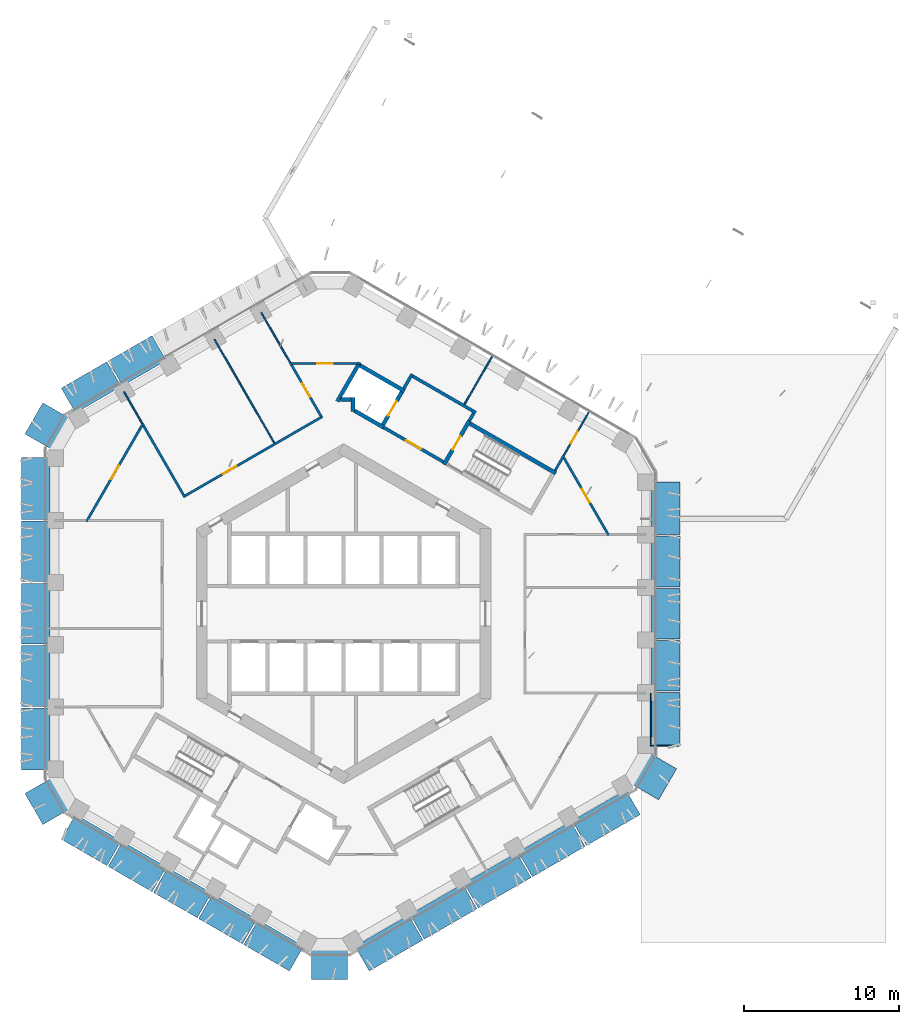
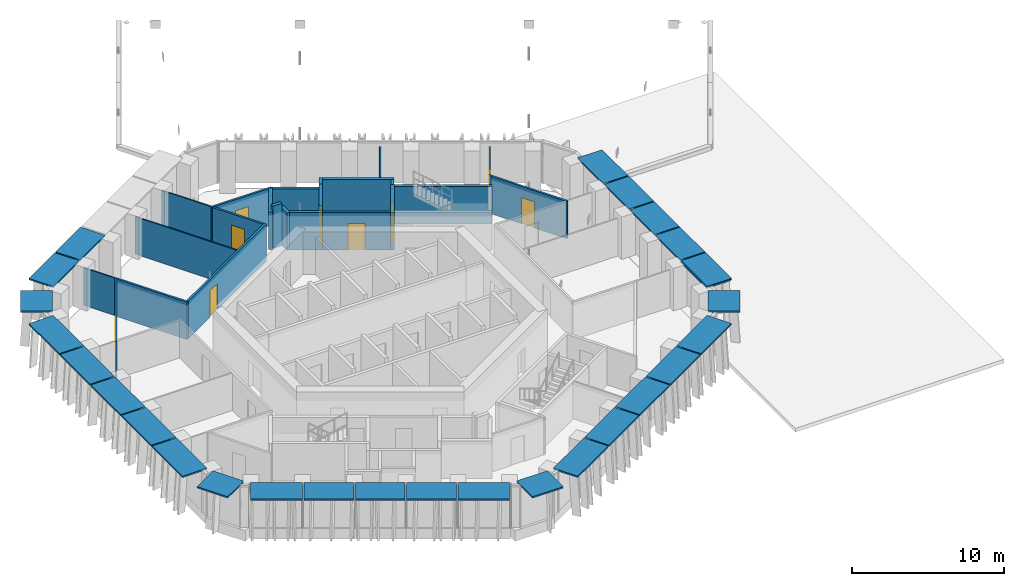
# One storey, part 16 of 25: 27 discrete accessories, 24 walls, 9 doors, 9 openings.
"""IFC4 building model written with IfcOpenShell, lengths in metres."""

from ifc_helpers import new_model, si_unit, direction, frame, frame_2d, origin, origin_2d, place, context, subcontext, project, spatial, polyline, rectangle, outline, extrude, material, layer, layer_set, type_object, element, fill, save


model = new_model("IFC4")

# Units and contexts
model_context = context("Model", 3, precision=1e-05, world=origin(), true_north=direction((0.0, 1.0)))
body_context = subcontext(model_context, "Body", "Model", "MODEL_VIEW")
ifc_project = project(units=[si_unit("LENGTHUNIT", "METRE"), si_unit("AREAUNIT", "SQUARE_METRE"), si_unit("VOLUMEUNIT", "CUBIC_METRE"), si_unit("PLANEANGLEUNIT", "RADIAN"), si_unit("MASSUNIT", "GRAM", prefix="KILO")], contexts=[model_context])

# Site, building, storey
site_placement = place(None, origin())
site = spatial("IfcSite", under=ifc_project, at=site_placement, CompositionType="ELEMENT")
building_placement = place(site_placement, origin())
building = spatial("IfcBuilding", under=site, at=building_placement, Name="Ayvan Gate Tower", CompositionType="ELEMENT")
storey_placement = place(building_placement, frame((0.0, 0.0, 132.5)))
storey = spatial("IfcBuildingStorey", under=building, at=storey_placement, Name="L35", CompositionType="ELEMENT", Elevation=132.5)

# Wall, opening, door
ifc_material_1 = material(Name="Plasterboard on steel stud", Category="steel")
ifc_layer_1 = layer(ifc_material_1, 0.14990234375)
ifc_layer_set_1 = layer_set([ifc_layer_1], Name="Plasterboard on steel stud")
wall_type_1 = type_object("IfcWallType", Name="WT-CORR-150", PredefinedType="PARTITIONING", material=ifc_layer_set_1)
wall_1_placement = place(storey_placement, frame((-16.588134765625, 5.944580078125, 0.0), z_axis=(0.0, 0.0, 1.0), x_axis=(0.500006094381, 0.866021885163, 0.0)))
wall_1 = element("IfcWall", 1, at=wall_1_placement, inside=storey, type_object=wall_type_1, Name="IW-L35-003", PredefinedType="PARTITIONING", context=body_context, shape_type="SweptSolid", body=[
    extrude(rectangle(XDim=7.32666015625, YDim=0.14990234375, at=frame_2d((3.663330078125, 0.0))), origin(), (0.0, 0.0, 1.0), 3.0),
])
opening_1_placement = place(wall_1_placement, frame((3.163330078125, 0.0, 0.0)))
opening_1 = element("IfcOpeningElement", 2, at=opening_1_placement, cuts=wall_1, Name="Opening L35-D22", PredefinedType="OPENING", context=body_context, shape_type="SweptSolid", body=[
    extrude(rectangle(XDim=1.0, YDim=2.10009765625, at=frame_2d((0.5, 1.050048828125))), frame((0.0, 0.0849609375, 0.0), z_axis=(0.0, -1.0, 0.0), x_axis=(1.0, 0.0, 0.0)), (0.0, 0.0, 1.0), 0.169921875),
])
ifc_material_2 = material(Name="Timber door leaf", Category="wood")
door_type_1 = type_object("IfcDoorType", Name="DT-1000", OperationType="NOTDEFINED", PredefinedType="DOOR", material=ifc_material_2)
door_1_placement = place(opening_1_placement, origin())
door_1 = element("IfcDoor", 3, at=door_1_placement, inside=storey, type_object=door_type_1, Name="ID-L35-022", OperationType="SINGLE_SWING_LEFT", OverallHeight=2.10009765625, OverallWidth=1.0, PredefinedType="DOOR", context=body_context, shape_type="SweptSolid", body=[
    extrude(rectangle(XDim=1.0, YDim=2.10009765625, at=frame_2d((0.5, 1.050048828125))), frame((0.0, 0.02490234375, 0.0), z_axis=(0.0, -1.0, 0.0), x_axis=(1.0, 0.0, 0.0)), (0.0, 0.0, 1.0), 0.050048828125),
])
fill(opening_1, door_1)

# Wall
wall_2_placement = place(storey_placement, frame((-12.9248046875, 12.15966796875, 0.0), z_axis=(0.0, 0.0, 1.0), x_axis=(0.500022974468, -0.866012139063, 0.0)))
element("IfcWall", 4, at=wall_2_placement, inside=storey, type_object=wall_type_1, Name="IW-L35-008", PredefinedType="PARTITIONING", context=body_context, shape_type="SweptSolid", body=[
    extrude(rectangle(XDim=5.367919921875, YDim=0.14990234375, at=frame_2d((2.68408203125, 0.0))), origin(), (0.0, 0.0, 1.0), 3.0),
])

# Wall, opening, door
wall_3_placement = place(storey_placement, frame((-10.21337890625, 7.61328125, 0.0), z_axis=(0.0, 0.0, 1.0), x_axis=(0.866020604402, 0.500008312683, 0.0)))
wall_3 = element("IfcWall", 5, at=wall_3_placement, inside=storey, type_object=wall_type_1, Name="IW-L35-014", PredefinedType="PARTITIONING", context=body_context, shape_type="SweptSolid", body=[
    extrude(rectangle(XDim=10.226806640625, YDim=0.14990234375, at=frame_2d((5.11328125, 0.0))), origin(), (0.0, 0.0, 1.0), 3.0),
])
opening_2_placement = place(wall_3_placement, frame((2.822265625, 0.0, 0.0)))
opening_2 = element("IfcOpeningElement", 6, at=opening_2_placement, cuts=wall_3, Name="Opening L35-D29", PredefinedType="OPENING", context=body_context, shape_type="SweptSolid", body=[
    extrude(rectangle(XDim=1.0, YDim=2.10009765625, at=frame_2d((0.5, 1.050048828125))), frame((0.0, 0.0849609375, 0.0), z_axis=(0.0, -1.0, 0.0), x_axis=(1.0, 0.0, 0.0)), (0.0, 0.0, 1.0), 0.169921875),
])
door_2_placement = place(opening_2_placement, origin())
door_2 = element("IfcDoor", 7, at=door_2_placement, inside=storey, type_object=door_type_1, Name="ID-L35-029", OperationType="SINGLE_SWING_RIGHT", OverallHeight=2.10009765625, OverallWidth=1.0, PredefinedType="DOOR", context=body_context, shape_type="SweptSolid", body=[
    extrude(rectangle(XDim=1.0, YDim=2.10009765625, at=frame_2d((0.5, 1.050048828125))), frame((0.0, 0.02490234375, 0.0), z_axis=(0.0, -1.0, 0.0), x_axis=(1.0, 0.0, 0.0)), (0.0, 0.0, 1.0), 0.050048828125),
])
fill(opening_2, door_2)

wall_4_placement = place(storey_placement, frame((-3.48779296875, 16.13818359375, 0.0), z_axis=(0.0, 0.0, 1.0), x_axis=(1.0, 0.0, 0.0)))
wall_4 = element("IfcWall", 8, at=wall_4_placement, inside=storey, type_object=wall_type_1, Name="IW-L35-040", PredefinedType="PARTITIONING", context=body_context, shape_type="SweptSolid", body=[
    extrude(rectangle(XDim=4.56640625, YDim=0.14990234375, at=frame_2d((2.283203125, 0.0))), origin(), (0.0, 0.0, 1.0), 3.0),
])
opening_3_placement = place(wall_4_placement, frame((1.800537109375, 0.0, 0.0)))
opening_3 = element("IfcOpeningElement", 9, at=opening_3_placement, cuts=wall_4, Name="Opening L35-D21", PredefinedType="OPENING", context=body_context, shape_type="SweptSolid", body=[
    extrude(rectangle(XDim=1.0, YDim=2.10009765625, at=frame_2d((0.5, 1.050048828125))), frame((0.0, 0.0849609375, 0.0), z_axis=(0.0, -1.0, 0.0), x_axis=(1.0, 0.0, 0.0)), (0.0, 0.0, 1.0), 0.169921875),
])
door_3_placement = place(opening_3_placement, origin())
door_3 = element("IfcDoor", 10, at=door_3_placement, inside=storey, type_object=door_type_1, Name="ID-L35-021", OperationType="SINGLE_SWING_RIGHT", OverallHeight=2.10009765625, OverallWidth=1.0, PredefinedType="DOOR", context=body_context, shape_type="SweptSolid", body=[
    extrude(rectangle(XDim=1.0, YDim=2.10009765625, at=frame_2d((0.5, 1.050048828125))), frame((0.0, 0.02490234375, 0.0), z_axis=(0.0, -1.0, 0.0), x_axis=(1.0, 0.0, 0.0)), (0.0, 0.0, 1.0), 0.050048828125),
])
fill(opening_3, door_3)

wall_5_placement = place(storey_placement, frame((-1.459228515625, 12.754150390625, 0.0), z_axis=(0.0, 0.0, 1.0), x_axis=(-0.500023910398, 0.866011598669, 0.0)))
wall_5 = element("IfcWall", 11, at=wall_5_placement, inside=storey, type_object=wall_type_1, Name="IW-L35-046", PredefinedType="PARTITIONING", context=body_context, shape_type="SweptSolid", body=[
    extrude(rectangle(XDim=3.832275390625, YDim=0.14990234375, at=frame_2d((1.916015625, 0.0))), origin(), (0.0, 0.0, 1.0), 3.0),
])
opening_4_placement = place(wall_5_placement, frame((1.416259765625, 0.0, 0.0)))
opening_4 = element("IfcOpeningElement", 12, at=opening_4_placement, cuts=wall_5, Name="Opening L35-D28", PredefinedType="OPENING", context=body_context, shape_type="SweptSolid", body=[
    extrude(rectangle(XDim=1.0, YDim=2.10009765625, at=frame_2d((0.5, 1.050048828125))), frame((0.0, 0.0849609375, 0.0), z_axis=(0.0, -1.0, 0.0), x_axis=(1.0, 0.0, 0.0)), (0.0, 0.0, 1.0), 0.169921875),
])
door_4_placement = place(opening_4_placement, origin())
door_4 = element("IfcDoor", 13, at=door_4_placement, inside=storey, type_object=door_type_1, Name="ID-L35-028", OperationType="SINGLE_SWING_LEFT", OverallHeight=2.10009765625, OverallWidth=1.0, PredefinedType="DOOR", context=body_context, shape_type="SweptSolid", body=[
    extrude(rectangle(XDim=1.0, YDim=2.10009765625, at=frame_2d((0.5, 1.050048828125))), frame((0.0, 0.02490234375, 0.0), z_axis=(0.0, -1.0, 0.0), x_axis=(1.0, 0.0, 0.0)), (0.0, 0.0, 1.0), 0.050048828125),
])
fill(opening_4, door_4)

# Wall
wall_6_placement = place(storey_placement, frame((13.647705078125, 9.23876953125, 0.0), z_axis=(0.0, 0.0, 1.0), x_axis=(0.500171649313, 0.865926279324, 0.0)))
element("IfcWall", 14, at=wall_6_placement, inside=storey, type_object=wall_type_1, Name="IW-L35-092", PredefinedType="PARTITIONING", context=body_context, shape_type="SweptSolid", body=[
    extrude(rectangle(XDim=1.11328125, YDim=0.14990234375, at=frame_2d((0.556640625, 0.0))), origin(), (0.0, 0.0, 1.0), 3.0),
])

# Wall, opening, door
wall_7_placement = place(storey_placement, frame((14.20458984375, 10.072998046875, 0.0), z_axis=(0.0, 0.0, 1.0), x_axis=(0.500017486934, -0.866015307463, 0.0)))
wall_7 = element("IfcWall", 15, at=wall_7_placement, inside=storey, type_object=wall_type_1, Name="IW-L35-095", PredefinedType="PARTITIONING", context=body_context, shape_type="SweptSolid", body=[
    extrude(rectangle(XDim=5.802001953125, YDim=0.14990234375, at=frame_2d((2.90087890625, 0.0))), origin(), (0.0, 0.0, 1.0), 3.0),
])
opening_5_placement = place(wall_7_placement, frame((2.34619140625, 0.0, 0.0)))
opening_5 = element("IfcOpeningElement", 16, at=opening_5_placement, cuts=wall_7, Name="Opening L35-D19", PredefinedType="OPENING", context=body_context, shape_type="SweptSolid", body=[
    extrude(rectangle(XDim=1.0, YDim=2.10009765625, at=frame_2d((0.5, 1.050048828125))), frame((0.0, 0.0849609375, 0.0), z_axis=(0.0, -1.0, 0.0), x_axis=(1.0, 0.0, 0.0)), (0.0, 0.0, 1.0), 0.169921875),
])
door_5_placement = place(opening_5_placement, origin())
door_5 = element("IfcDoor", 17, at=door_5_placement, inside=storey, type_object=door_type_1, Name="ID-L35-019", OperationType="SINGLE_SWING_RIGHT", OverallHeight=2.10009765625, OverallWidth=1.0, PredefinedType="DOOR", context=body_context, shape_type="SweptSolid", body=[
    extrude(rectangle(XDim=1.0, YDim=2.10009765625, at=frame_2d((0.5, 1.050048828125))), frame((0.0, 0.02490234375, 0.0), z_axis=(0.0, -1.0, 0.0), x_axis=(1.0, 0.0, 0.0)), (0.0, 0.0, 1.0), 0.050048828125),
])
fill(opening_5, door_5)

# Walls
ifc_layer_2 = layer(ifc_material_1, 0.10009765625)
ifc_layer_set_2 = layer_set([ifc_layer_2], Name="Plasterboard on steel stud")
wall_type_2 = type_object("IfcWallType", Name="WT-PART-100", PredefinedType="PARTITIONING", material=ifc_layer_set_2)
wall_8_placement = place(storey_placement, frame((-14.171142578125, 14.318359375, 0.0), z_axis=(0.0, 0.0, 1.0), x_axis=(0.500017137554, -0.866015509187, 0.0)))
element("IfcWall", 18, at=wall_8_placement, inside=storey, type_object=wall_type_2, Name="IW-L35-004", PredefinedType="PARTITIONING", context=body_context, shape_type="SweptSolid", body=[
    extrude(rectangle(XDim=2.3427734375, YDim=0.10009765625, at=frame_2d((1.17138671875, 0.0))), origin(), (0.0, 0.0, 1.0), 3.0),
])
wall_9_placement = place(storey_placement, frame((-4.470458984375, 11.015625, 0.0), z_axis=(0.0, 0.0, 1.0), x_axis=(-0.499997453958, 0.866026873738, 0.0)))
element("IfcWall", 19, at=wall_9_placement, inside=storey, type_object=wall_type_2, Name="IW-L35-035", PredefinedType="PARTITIONING", context=body_context, shape_type="SweptSolid", body=[
    extrude(rectangle(XDim=7.71044921875, YDim=0.10009765625, at=frame_2d((3.855224609375, 0.0))), origin(), (0.0, 0.0, 1.0), 3.0),
])
wall_10_placement = place(storey_placement, frame((-3.450439453125, 16.202880859375, 0.0), z_axis=(0.0, 0.0, 1.0), x_axis=(-0.499977539641, 0.866038370891, 0.0)))
element("IfcWall", 20, at=wall_10_placement, inside=storey, type_object=wall_type_2, Name="IW-L35-039", PredefinedType="PARTITIONING", context=body_context, shape_type="SweptSolid", body=[
    extrude(rectangle(XDim=3.728271484375, YDim=0.10009765625, at=frame_2d((1.8642578125, 0.0))), origin(), (0.0, 0.0, 1.0), 3.0),
])
wall_11_placement = place(storey_placement, frame((7.800048828125, 13.510009765625, 0.0), z_axis=(0.0, 0.0, 1.0), x_axis=(0.499976875499, 0.866038754309, 0.0)))
element("IfcWall", 21, at=wall_11_placement, inside=storey, type_object=wall_type_2, Name="IW-L35-081", PredefinedType="PARTITIONING", context=body_context, shape_type="SweptSolid", body=[
    extrude(rectangle(XDim=3.544189453125, YDim=0.10009765625, at=frame_2d((1.77197265625, 0.0))), origin(), (0.0, 0.0, 1.0), 3.0),
])

# Wall, opening, door
wall_12_placement = place(storey_placement, frame((14.20458984375, 10.202880859375, 0.0), z_axis=(0.0, 0.0, 1.0), x_axis=(0.499988314375, 0.866032150378, 0.0)))
wall_12 = element("IfcWall", 22, at=wall_12_placement, inside=storey, type_object=wall_type_2, Name="IW-L35-094", PredefinedType="PARTITIONING", context=body_context, shape_type="SweptSolid", body=[
    extrude(rectangle(XDim=3.2060546875, YDim=0.10009765625, at=frame_2d((1.60302734375, 0.0))), origin(), (0.0, 0.0, 1.0), 3.0),
])
opening_6_placement = place(wall_12_placement, frame((0.892578125, 0.0, 0.0)))
opening_6 = element("IfcOpeningElement", 23, at=opening_6_placement, cuts=wall_12, Name="Opening L35-D20", PredefinedType="OPENING", context=body_context, shape_type="SweptSolid", body=[
    extrude(rectangle(XDim=0.89990234375, YDim=2.10009765625, at=frame_2d((0.449951171875, 1.050048828125))), frame((0.0, 0.06005859375, 0.0), z_axis=(0.0, -1.0, 0.0), x_axis=(1.0, 0.0, 0.0)), (0.0, 0.0, 1.0), 0.1201171875),
])
door_type_2 = type_object("IfcDoorType", Name="DT-900", OperationType="NOTDEFINED", PredefinedType="DOOR", material=ifc_material_2)
door_6_placement = place(opening_6_placement, origin())
door_6 = element("IfcDoor", 24, at=door_6_placement, inside=storey, type_object=door_type_2, Name="ID-L35-020", OperationType="SINGLE_SWING_LEFT", OverallHeight=2.10009765625, OverallWidth=0.89990234375, PredefinedType="DOOR", context=body_context, shape_type="SweptSolid", body=[
    extrude(rectangle(XDim=0.89990234375, YDim=2.10009765625, at=frame_2d((0.449951171875, 1.050048828125))), frame((0.0, 0.02490234375, 0.0), z_axis=(0.0, -1.0, 0.0), x_axis=(1.0, 0.0, 0.0)), (0.0, 0.0, 1.0), 0.050048828125),
])
fill(opening_6, door_6)

# Walls
ifc_layer_3 = layer(ifc_material_1, 0.199951171875)
ifc_layer_set_3 = layer_set([ifc_layer_3], Name="Plasterboard on steel stud")
wall_type_3 = type_object("IfcWallType", Name="WT-RATED-200", PredefinedType="PARTITIONING", material=ifc_layer_set_3)
wall_13_placement = place(storey_placement, frame((3.885009765625, 14.52880859375, 0.0), z_axis=(0.0, 0.0, 1.0), x_axis=(0.499997628298, 0.866026773083, 0.0)))
element("IfcWall", 25, at=wall_13_placement, inside=storey, type_object=wall_type_3, Name="IW-L35-068", PredefinedType="PARTITIONING", context=body_context, shape_type="SweptSolid", body=[
    extrude(rectangle(XDim=1.0751953125, YDim=0.199951171875, at=frame_2d((0.53759765625, 0.0))), origin(), (0.0, 0.0, 1.0), 3.0),
])
wall_14_placement = place(storey_placement, frame((4.458984375, 15.323486328125, 0.0), z_axis=(0.0, 0.0, 1.0), x_axis=(0.866016039709, -0.500016218704, 0.0)))
element("IfcWall", 26, at=wall_14_placement, inside=storey, type_object=wall_type_3, Name="IW-L35-069", PredefinedType="PARTITIONING", context=body_context, shape_type="SweptSolid", body=[
    extrude(rectangle(XDim=4.699951171875, YDim=0.199951171875, at=frame_2d((2.35009765625, 0.0))), origin(), (0.0, 0.0, 1.0), 3.0),
])

# Wall, opening, door
wall_15_placement = place(storey_placement, frame((6.4345703125, 9.794921875, 0.0), z_axis=(0.0, 0.0, 1.0), x_axis=(-0.866012907634, 0.500021643343, 0.0)))
wall_15 = element("IfcWall", 27, at=wall_15_placement, inside=storey, type_object=wall_type_3, Name="IW-L35-072", PredefinedType="PARTITIONING", context=body_context, shape_type="SweptSolid", body=[
    extrude(rectangle(XDim=4.449951171875, YDim=0.199951171875, at=frame_2d((2.22509765625, 0.0))), origin(), (0.0, 0.0, 1.0), 3.0),
])
opening_7_placement = place(wall_15_placement, frame((1.675048828125, 0.0, 0.0)))
opening_7 = element("IfcOpeningElement", 28, at=opening_7_placement, cuts=wall_15, Name="Opening L35-D08", PredefinedType="OPENING", context=body_context, shape_type="SweptSolid", body=[
    extrude(rectangle(XDim=1.10009765625, YDim=2.10009765625, at=frame_2d((0.550048828125, 1.050048828125))), frame((0.0, 0.10986328125, 0.0), z_axis=(0.0, -1.0, 0.0), x_axis=(1.0, 0.0, 0.0)), (0.0, 0.0, 1.0), 0.219970703125),
])
door_type_3 = type_object("IfcDoorType", Name="DT-1100", OperationType="NOTDEFINED", PredefinedType="DOOR", material=ifc_material_2)
door_7_placement = place(opening_7_placement, origin())
door_7 = element("IfcDoor", 29, at=door_7_placement, inside=storey, type_object=door_type_3, Name="ID-L35-008", OperationType="SINGLE_SWING_LEFT", OverallHeight=2.10009765625, OverallWidth=1.10009765625, PredefinedType="DOOR", context=body_context, shape_type="SweptSolid", body=[
    extrude(rectangle(XDim=1.10009765625, YDim=2.10009765625, at=frame_2d((0.550048828125, 1.050048828125))), frame((0.0, 0.02490234375, 0.0), z_axis=(0.0, -1.0, 0.0), x_axis=(1.0, 0.0, 0.0)), (0.0, 0.0, 1.0), 0.050048828125),
])
fill(opening_7, door_7)

# Walls
wall_16_placement = place(storey_placement, frame((8.392822265625, 12.936767578125, 0.0), z_axis=(0.0, 0.0, 1.0), x_axis=(-0.500065409566, -0.86598763626, 0.0)))
element("IfcWall", 30, at=wall_16_placement, inside=storey, type_object=wall_type_3, Name="IW-L35-083", PredefinedType="PARTITIONING", context=body_context, shape_type="SweptSolid", body=[
    extrude(rectangle(XDim=0.5751953125, YDim=0.199951171875, at=frame_2d((0.28759765625, 0.0))), origin(), (0.0, 0.0, 1.0), 3.0),
])
ifc_material_3 = material(Name="Concrete C50/60", Category="concrete")
ifc_layer_4 = layer(ifc_material_3, 0.25)
ifc_layer_set_4 = layer_set([ifc_layer_4], Name="Concrete C50/60")
wall_type_4 = type_object("IfcWallType", Name="WT-RC-250", PredefinedType="SHEAR", material=ifc_layer_set_4)
wall_17_placement = place(storey_placement, frame((-0.403076171875, 13.70166015625, 0.0), z_axis=(0.0, 0.0, 1.0), x_axis=(0.499976111731, 0.866039195244, 0.0)))
element("IfcWall", 31, at=wall_17_placement, inside=storey, type_object=wall_type_4, Name="IW-L35-051", PredefinedType="SHEAR", context=body_context, shape_type="SweptSolid", body=[
    extrude(rectangle(XDim=2.860595703125, YDim=0.25, at=frame_2d((1.43017578125, 0.0))), origin(), (0.0, 0.0, 1.0), 3.0),
])
wall_18_placement = place(storey_placement, frame((0.60009765625, 13.03857421875, 0.0), z_axis=(0.0, 0.0, 1.0), x_axis=(0.0, 1.0, 0.0)))
element("IfcWall", 32, at=wall_18_placement, inside=storey, type_object=wall_type_4, Name="IW-L35-054", PredefinedType="SHEAR", context=body_context, shape_type="SweptSolid", body=[
    extrude(rectangle(XDim=0.896484375, YDim=0.25, at=frame_2d((0.4482421875, 0.0))), origin(), (0.0, 0.0, 1.0), 3.0),
])
wall_19_placement = place(storey_placement, frame((0.47509765625, 13.81005859375, 0.0), z_axis=(0.0, 0.0, 1.0), x_axis=(-1.0, 0.0, 0.0)))
element("IfcWall", 33, at=wall_19_placement, inside=storey, type_object=wall_type_4, Name="IW-L35-055", PredefinedType="SHEAR", context=body_context, shape_type="SweptSolid", body=[
    extrude(rectangle(XDim=0.690673828125, YDim=0.25, at=frame_2d((0.34521484375, 0.0))), origin(), (0.0, 0.0, 1.0), 3.39990234375),
])
wall_20_placement = place(storey_placement, frame((1.072998046875, 16.00830078125, 0.0), z_axis=(0.0, 0.0, 1.0), x_axis=(0.866040211805, -0.499974350878, 0.0)))
element("IfcWall", 34, at=wall_20_placement, inside=storey, type_object=wall_type_4, Name="IW-L35-058", PredefinedType="SHEAR", context=body_context, shape_type="SweptSolid", body=[
    extrude(rectangle(XDim=3.300048828125, YDim=0.25, at=frame_2d((1.64990234375, 0.0))), origin(), (0.0, 0.0, 1.0), 3.0),
])
wall_21_placement = place(storey_placement, frame((2.580810546875, 12.02001953125, 0.0), z_axis=(0.0, 0.0, 1.0), x_axis=(-0.86603892542, 0.499976579108, 0.0)))
element("IfcWall", 35, at=wall_21_placement, inside=storey, type_object=wall_type_4, Name="IW-L35-063", PredefinedType="SHEAR", context=body_context, shape_type="SweptSolid", body=[
    extrude(rectangle(XDim=2.162109375, YDim=0.25, at=frame_2d((1.0810546875, 0.0))), origin(), (0.0, 0.0, 1.0), 3.0),
])

# Wall, opening, door
wall_22_placement = place(storey_placement, frame((2.534912109375, 12.19091796875, 0.0), z_axis=(0.0, 0.0, 1.0), x_axis=(0.500061746146, 0.865989751695, 0.0)))
wall_22 = element("IfcWall", 36, at=wall_22_placement, inside=storey, type_object=wall_type_4, Name="IW-L35-064", PredefinedType="SHEAR", context=body_context, shape_type="SweptSolid", body=[
    extrude(rectangle(XDim=2.449951171875, YDim=0.25, at=frame_2d((1.22509765625, 0.0))), origin(), (0.0, 0.0, 1.0), 3.39990234375),
])
opening_8_placement = place(wall_22_placement, frame((0.675048828125, 0.0, 0.0)))
opening_8 = element("IfcOpeningElement", 37, at=opening_8_placement, cuts=wall_22, Name="Opening L35-LD-FF1", PredefinedType="OPENING", context=body_context, shape_type="SweptSolid", body=[
    extrude(rectangle(XDim=1.10009765625, YDim=2.10009765625, at=frame_2d((0.550048828125, 1.050048828125))), frame((0.0, 0.135009765625, 0.0), z_axis=(0.0, -1.0, 0.0), x_axis=(1.0, 0.0, 0.0)), (0.0, 0.0, 1.0), 0.27001953125),
])
ifc_material_4 = material(Name="Stainless steel landing door", Category="steel")
door_type_4 = type_object("IfcDoorType", Name="DT-LANDING-1100", OperationType="SLIDING_TO_LEFT", PredefinedType="DOOR", material=ifc_material_4)
door_8_placement = place(opening_8_placement, origin())
door_8 = element("IfcDoor", 38, at=door_8_placement, inside=storey, type_object=door_type_4, Name="ID-L35-009", OperationType="SLIDING_TO_LEFT", OverallHeight=2.10009765625, OverallWidth=1.10009765625, PredefinedType="DOOR", context=body_context, shape_type="SweptSolid", body=[
    extrude(rectangle(XDim=1.10009765625, YDim=2.10009765625, at=frame_2d((0.550048828125, 1.050048828125))), frame((0.0, 0.02490234375, 0.0), z_axis=(0.0, -1.0, 0.0), x_axis=(1.0, 0.0, 0.0)), (0.0, 0.0, 1.0), 0.050048828125),
])
fill(opening_8, door_8)

wall_23_placement = place(storey_placement, frame((6.480224609375, 9.624267578125, 0.0), z_axis=(0.0, 0.0, 1.0), x_axis=(0.500017246033, 0.866015446554, 0.0)))
wall_23 = element("IfcWall", 39, at=wall_23_placement, inside=storey, type_object=wall_type_4, Name="IW-L35-073", PredefinedType="SHEAR", context=body_context, shape_type="SweptSolid", body=[
    extrude(rectangle(XDim=3.25, YDim=0.25, at=frame_2d((1.625, 0.0))), origin(), (0.0, 0.0, 1.0), 3.0),
])
opening_9_placement = place(wall_23_placement, frame((1.125, 0.0, 0.0)))
opening_9 = element("IfcOpeningElement", 40, at=opening_9_placement, cuts=wall_23, Name="Opening L35-D07", PredefinedType="OPENING", context=body_context, shape_type="SweptSolid", body=[
    extrude(rectangle(XDim=1.0, YDim=2.10009765625, at=frame_2d((0.5, 1.050048828125))), frame((0.0, 0.135009765625, 0.0), z_axis=(0.0, -1.0, 0.0), x_axis=(1.0, 0.0, 0.0)), (0.0, 0.0, 1.0), 0.27001953125),
])
door_9_placement = place(opening_9_placement, origin())
door_9 = element("IfcDoor", 41, at=door_9_placement, inside=storey, type_object=door_type_1, Name="ID-L35-007", OperationType="SINGLE_SWING_RIGHT", OverallHeight=2.10009765625, OverallWidth=1.0, PredefinedType="DOOR", context=body_context, shape_type="SweptSolid", body=[
    extrude(rectangle(XDim=1.0, YDim=2.10009765625, at=frame_2d((0.5, 1.050048828125))), frame((0.0, 0.02490234375, 0.0), z_axis=(0.0, -1.0, 0.0), x_axis=(1.0, 0.0, 0.0)), (0.0, 0.0, 1.0), 0.050048828125),
])
fill(opening_9, door_9)

# Wall
wall_24_placement = place(storey_placement, frame((8.151123046875, 12.26806640625, 0.0), z_axis=(0.0, 0.0, 1.0), x_axis=(0.866025499775, -0.499999833739, 0.0)))
element("IfcWall", 42, at=wall_24_placement, inside=storey, type_object=wall_type_4, Name="IW-L35-082", PredefinedType="SHEAR", context=body_context, shape_type="SweptSolid", body=[
    extrude(rectangle(XDim=6.39990234375, YDim=0.25, at=frame_2d((3.199951171875, 0.0))), origin(), (0.0, 0.0, 1.0), 3.0),
])

# Discrete accessories
ifc_material_5 = material(Name="Stainless steel 316", Category="steel")
ifc_layer_5 = layer(ifc_material_5, 0.1201171875)
ifc_layer_set_5 = layer_set([ifc_layer_5], Name="Stainless steel 316")
discrete_accessory_type = type_object("IfcDiscreteAccessoryType", Name="Fin carrier bracket", PredefinedType="BRACKET", material=ifc_layer_set_5)
discrete_accessory_1_placement = place(storey_placement, frame((-19.86474609375, -8.092041015625, 3.280029296875), z_axis=(0.0, 0.0, 1.0), x_axis=(0.0, -1.0, 0.0)))
element("IfcDiscreteAccessory", 43, at=discrete_accessory_1_placement, inside=storey, type_object=discrete_accessory_type, Name="Fin carrier 63", PredefinedType="BRACKET", context=body_context, shape_type="SweptSolid", body=[
    extrude(rectangle(XDim=4.00048828125, YDim=1.851806640625, at=origin_2d()), origin(), (0.0, 0.0, 1.0), 0.1201171875),
])
for number, where, z_axis, x_axis, name in (
    (44, (-19.86474609375, -4.02783203125, 3.280029296875), (0.0, 0.0, 1.0), (0.0, -1.0, 0.0), "Fin carrier 68"),
    (45, (-19.86474609375, 0.000244140625, 3.280029296875), (0.0, 0.0, 1.0), (0.0, -1.0, 0.0), "Fin carrier 73"),
    (46, (-19.86474609375, 4.0283203125, 3.280029296875), (0.0, 0.0, 1.0), (0.0, -1.0, 0.0), "Fin carrier 78"),
):
    element("IfcDiscreteAccessory", number, at=place(storey_placement, frame(where, z_axis=z_axis, x_axis=x_axis)), inside=storey, type_object=discrete_accessory_type, Name=name, PredefinedType="BRACKET", context=body_context, shape_type="SweptSolid", body=[
        extrude(rectangle(XDim=3.927978515625, YDim=1.851806640625, at=origin_2d()), origin(), (0.0, 0.0, 1.0), 0.1201171875),
    ])
discrete_accessory_2_placement = place(storey_placement, frame((-19.86474609375, 8.09228515625, 3.280029296875), z_axis=(0.0, 0.0, 1.0), x_axis=(0.0, -1.0, 0.0)))
element("IfcDiscreteAccessory", 47, at=discrete_accessory_2_placement, inside=storey, type_object=discrete_accessory_type, Name="Fin carrier 83", PredefinedType="BRACKET", context=body_context, shape_type="SweptSolid", body=[
    extrude(rectangle(XDim=4.0, YDim=1.851806640625, at=origin_2d()), origin(), (0.0, 0.0, 1.0), 0.1201171875),
])
for number, where, z_axis, x_axis, name in (
    (48, (-19.076171875, -12.077880859375, 3.280029296875), (0.0, 0.0, 1.0), (0.5, -0.866025403784, 0.0), "Fin carrier 98"),
    (49, (-19.076171875, 12.077880859375, 3.280029296875), (0.0, 0.0, 1.0), (-0.5, -0.866025403784, 0.0), "Fin carrier 122"),
):
    element("IfcDiscreteAccessory", number, at=place(storey_placement, frame(where, z_axis=z_axis, x_axis=x_axis)), inside=storey, type_object=discrete_accessory_type, Name=name, PredefinedType="BRACKET", context=body_context, shape_type="SweptSolid", body=[
        extrude(rectangle(XDim=2.314453125, YDim=2.093017578125, at=origin_2d()), origin(), (0.0, 0.0, 1.0), 0.1201171875),
    ])
discrete_accessory_3_placement = place(storey_placement, frame((-16.279541015625, -14.60302734375, 3.280029296875), z_axis=(0.0, 0.0, 1.0), x_axis=(0.866025403784, -0.5, 0.0)))
element("IfcDiscreteAccessory", 50, at=discrete_accessory_3_placement, inside=storey, type_object=discrete_accessory_type, Name="Fin carrier 212", PredefinedType="BRACKET", context=body_context, shape_type="SweptSolid", body=[
    extrude(rectangle(XDim=3.39794921875, YDim=1.851806640625, at=origin_2d()), origin(), (0.0, 0.0, 1.0), 0.1201171875),
])
discrete_accessory_4_placement = place(storey_placement, frame((-16.279541015625, 14.60302734375, 3.280029296875), z_axis=(0.0, 0.0, 1.0), x_axis=(-0.866025403784, -0.5, 0.0)))
element("IfcDiscreteAccessory", 51, at=discrete_accessory_4_placement, inside=storey, type_object=discrete_accessory_type, Name="Fin carrier 217", PredefinedType="BRACKET", context=body_context, shape_type="SweptSolid", body=[
    extrude(rectangle(XDim=3.397705078125, YDim=1.851806640625, at=origin_2d()), origin(), (0.0, 0.0, 1.0), 0.1201171875),
])
for number, where, z_axis, x_axis, name in (
    (52, (-13.3076171875, -16.31884765625, 3.280029296875), (0.0, 0.0, 1.0), (0.866025403784, -0.5, 0.0), "Fin carrier 269"),
    (53, (-13.307861328125, 16.31884765625, 3.280029296875), (0.0, 0.0, 1.0), (-0.866025403784, -0.5, 0.0), "Fin carrier 279"),
):
    element("IfcDiscreteAccessory", number, at=place(storey_placement, frame(where, z_axis=z_axis, x_axis=x_axis)), inside=storey, type_object=discrete_accessory_type, Name=name, PredefinedType="BRACKET", context=body_context, shape_type="SweptSolid", body=[
        extrude(rectangle(XDim=3.264892578125, YDim=1.851806640625, at=origin_2d()), origin(), (0.0, 0.0, 1.0), 0.1201171875),
    ])
discrete_accessory_5_placement = place(storey_placement, frame((-10.39306640625, -18.001708984375, 3.280029296875), z_axis=(0.0, 0.0, 1.0), x_axis=(0.866025403784, -0.5, 0.0)))
element("IfcDiscreteAccessory", 54, at=discrete_accessory_5_placement, inside=storey, type_object=discrete_accessory_type, Name="Fin carrier 333", PredefinedType="BRACKET", context=body_context, shape_type="SweptSolid", body=[
    extrude(rectangle(XDim=3.26611328125, YDim=1.851806640625, at=origin_2d()), origin(), (0.0, 0.0, 1.0), 0.1201171875),
])
discrete_accessory_6_placement = place(storey_placement, frame((-7.478515625, -19.684326171875, 3.280029296875), z_axis=(0.0, 0.0, 1.0), x_axis=(0.866025403784, -0.5, 0.0)))
element("IfcDiscreteAccessory", 55, at=discrete_accessory_6_placement, inside=storey, type_object=discrete_accessory_type, Name="Fin carrier 394", PredefinedType="BRACKET", context=body_context, shape_type="SweptSolid", body=[
    extrude(rectangle(XDim=3.264892578125, YDim=1.851806640625, at=origin_2d()), origin(), (0.0, 0.0, 1.0), 0.1201171875),
])
discrete_accessory_7_placement = place(storey_placement, frame((-4.5068359375, -21.400146484375, 3.280029296875), z_axis=(0.0, 0.0, 1.0), x_axis=(0.866025403784, -0.5, 0.0)))
element("IfcDiscreteAccessory", 56, at=discrete_accessory_7_placement, inside=storey, type_object=discrete_accessory_type, Name="Fin carrier 449", PredefinedType="BRACKET", context=body_context, shape_type="SweptSolid", body=[
    extrude(rectangle(XDim=3.397705078125, YDim=1.851806640625, at=origin_2d()), origin(), (0.0, 0.0, 1.0), 0.1201171875),
])
discrete_accessory_8_placement = place(storey_placement, frame((-0.921630859375, -22.559326171875, 3.280029296875), z_axis=(0.0, 0.0, 1.0), x_axis=(1.0, 0.0, 0.0)))
element("IfcDiscreteAccessory", 57, at=discrete_accessory_8_placement, inside=storey, type_object=discrete_accessory_type, Name="Fin carrier 502", PredefinedType="BRACKET", context=body_context, shape_type="SweptSolid", body=[
    extrude(rectangle(XDim=2.314453125, YDim=2.093017578125, at=origin_2d()), origin(), (0.0, 0.0, 1.0), 0.1201171875),
])
discrete_accessory_9_placement = place(storey_placement, frame((2.92431640625, -21.24951171875, 3.280029296875), z_axis=(0.0, 0.0, 1.0), x_axis=(0.866025403784, 0.5, 0.0)))
element("IfcDiscreteAccessory", 58, at=discrete_accessory_9_placement, inside=storey, type_object=discrete_accessory_type, Name="Fin carrier 560", PredefinedType="BRACKET", context=body_context, shape_type="SweptSolid", body=[
    extrude(rectangle(XDim=4.0, YDim=1.851806640625, at=origin_2d()), origin(), (0.0, 0.0, 1.0), 0.1201171875),
])
for number, where, z_axis, x_axis, name in (
    (59, (6.44384765625, -19.217529296875, 3.280029296875), (0.0, 0.0, 1.0), (0.866025403784, 0.5, 0.0), "Fin carrier 622"),
    (60, (9.93212890625, -17.20361328125, 3.280029296875), (0.0, 0.0, 1.0), (0.866025403784, 0.5, 0.0), "Fin carrier 694"),
    (61, (13.420654296875, -15.189453125, 3.280029296875), (0.0, 0.0, 1.0), (0.866025403784, 0.5, 0.0), "Fin carrier 760"),
):
    element("IfcDiscreteAccessory", number, at=place(storey_placement, frame(where, z_axis=z_axis, x_axis=x_axis)), inside=storey, type_object=discrete_accessory_type, Name=name, PredefinedType="BRACKET", context=body_context, shape_type="SweptSolid", body=[
        extrude(rectangle(XDim=3.927978515625, YDim=1.851806640625, at=origin_2d()), origin(), (0.0, 0.0, 1.0), 0.1201171875),
    ])
discrete_accessory_10_placement = place(storey_placement, frame((16.940185546875, -13.157470703125, 3.280029296875), z_axis=(0.0, 0.0, 1.0), x_axis=(0.866025403784, 0.5, 0.0)))
element("IfcDiscreteAccessory", 62, at=discrete_accessory_10_placement, inside=storey, type_object=discrete_accessory_type, Name="Fin carrier 823", PredefinedType="BRACKET", context=body_context, shape_type="SweptSolid", body=[
    extrude(rectangle(XDim=4.00048828125, YDim=1.851806640625, at=origin_2d()), origin(), (0.0, 0.0, 1.0), 0.1201171875),
])
discrete_accessory_11_placement = place(storey_placement, frame((19.997802734375, -10.4814453125, 3.280029296875), z_axis=(0.0, 0.0, 1.0), x_axis=(0.5, 0.866025403784, 0.0)))
element("IfcDiscreteAccessory", 63, at=discrete_accessory_11_placement, inside=storey, type_object=discrete_accessory_type, Name="Fin carrier 953", PredefinedType="BRACKET", context=body_context, shape_type="SweptSolid", body=[
    extrude(rectangle(XDim=2.314453125, YDim=2.093017578125, at=origin_2d()), origin(), (0.0, 0.0, 1.0), 0.1201171875),
])
discrete_accessory_12_placement = place(storey_placement, frame((20.786376953125, -6.796875, 3.280029296875), z_axis=(0.0, 0.0, 1.0), x_axis=(0.0, 1.0, 0.0)))
element("IfcDiscreteAccessory", 64, at=discrete_accessory_12_placement, inside=storey, type_object=discrete_accessory_type, Name="Fin carrier 963", PredefinedType="BRACKET", context=body_context, shape_type="SweptSolid", body=[
    extrude(rectangle(XDim=3.39794921875, YDim=1.851806640625, at=origin_2d()), origin(), (0.0, 0.0, 1.0), 0.1201171875),
])
discrete_accessory_13_placement = place(storey_placement, frame((20.786376953125, -3.365478515625, 3.280029296875), z_axis=(0.0, 0.0, 1.0), x_axis=(0.0, 1.0, 0.0)))
element("IfcDiscreteAccessory", 65, at=discrete_accessory_13_placement, inside=storey, type_object=discrete_accessory_type, Name="Fin carrier 969", PredefinedType="BRACKET", context=body_context, shape_type="SweptSolid", body=[
    extrude(rectangle(XDim=3.264892578125, YDim=1.851806640625, at=origin_2d()), origin(), (0.0, 0.0, 1.0), 0.1201171875),
])
discrete_accessory_14_placement = place(storey_placement, frame((20.786376953125, 0.0, 3.280029296875), z_axis=(0.0, 0.0, 1.0), x_axis=(0.0, 1.0, 0.0)))
element("IfcDiscreteAccessory", 66, at=discrete_accessory_14_placement, inside=storey, type_object=discrete_accessory_type, Name="Fin carrier 975", PredefinedType="BRACKET", context=body_context, shape_type="SweptSolid", body=[
    extrude(rectangle(XDim=3.26611328125, YDim=1.851806640625, at=origin_2d()), origin(), (0.0, 0.0, 1.0), 0.1201171875),
])
discrete_accessory_15_placement = place(storey_placement, frame((20.786376953125, 3.365478515625, 3.280029296875), z_axis=(0.0, 0.0, 1.0), x_axis=(0.0, 1.0, 0.0)))
element("IfcDiscreteAccessory", 67, at=discrete_accessory_15_placement, inside=storey, type_object=discrete_accessory_type, Name="Fin carrier 980", PredefinedType="BRACKET", context=body_context, shape_type="SweptSolid", body=[
    extrude(rectangle(XDim=3.264892578125, YDim=1.851806640625, at=origin_2d()), origin(), (0.0, 0.0, 1.0), 0.1201171875),
])
discrete_accessory_16_placement = place(storey_placement, frame((20.786376953125, 6.797119140625, 3.280029296875), z_axis=(0.0, 0.0, 1.0), x_axis=(0.0, 1.0, 0.0)))
element("IfcDiscreteAccessory", 68, at=discrete_accessory_16_placement, inside=storey, type_object=discrete_accessory_type, Name="Fin carrier 985", PredefinedType="BRACKET", context=body_context, shape_type="SweptSolid", body=[
    extrude(rectangle(XDim=3.397705078125, YDim=1.851806640625, at=origin_2d()), origin(), (0.0, 0.0, 1.0), 0.1201171875),
])
discrete_accessory_17_placement = place(storey_placement, frame((0.0, 0.0, 3.280029296875)))
element("IfcDiscreteAccessory", 69, at=discrete_accessory_17_placement, inside=storey, type_object=discrete_accessory_type, Name="Fin carrier 1137", PredefinedType="BRACKET", context=body_context, shape_type="SweptSolid", body=[
    extrude(outline(polyline([(21.63720703125, -8.5546875), (19.78564453125, -8.5546875), (19.78564453125, -5.142578125), (19.860595703125, -5.142578125), (19.860595703125, -8.495849609375), (21.63720703125, -8.495849609375), (21.63720703125, -8.5546875)])), origin(), (0.0, 0.0, 1.0), 0.119873046875),
])

save(model, "model.ifc")
